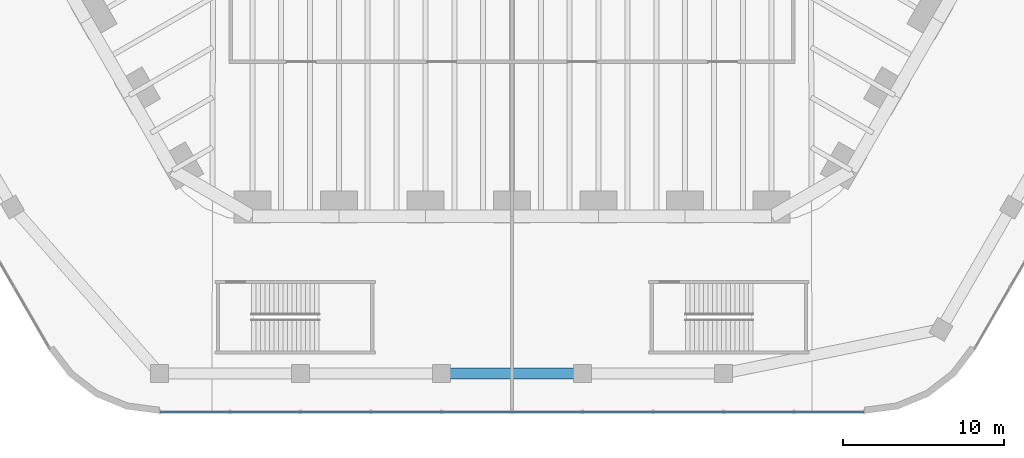
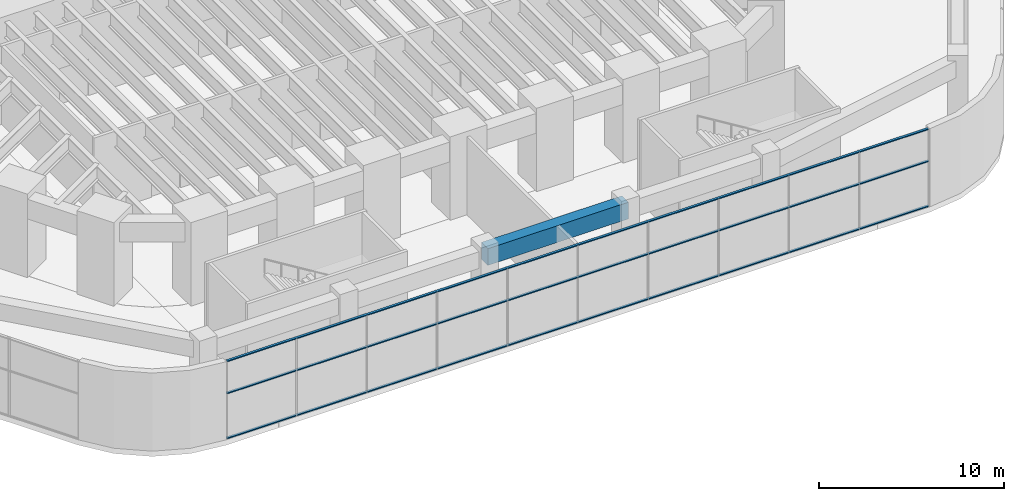
# One storey, part 6 of 31: 3 members, 1 beam, 1 element without a shape of its own.
"""IFC4 building model written with IfcOpenShell, lengths in metres."""

from ifc_helpers import new_model, si_unit, direction, frame, origin, origin_2d, place, context, subcontext, project, spatial, rectangle, extrude, material, material_profile, profile_set, type_object, element, aggregate, save


model = new_model("IFC4")

# Units and contexts
model_context = context("Model", 3, precision=1e-05, world=origin(), true_north=direction((0.0, 1.0)))
body_context = subcontext(model_context, "Body", "Model", "MODEL_VIEW")
ifc_project = project(units=[si_unit("LENGTHUNIT", "METRE"), si_unit("AREAUNIT", "SQUARE_METRE"), si_unit("VOLUMEUNIT", "CUBIC_METRE"), si_unit("PLANEANGLEUNIT", "RADIAN"), si_unit("MASSUNIT", "GRAM", prefix="KILO")], contexts=[model_context])

# Site, building, storey
site_placement = place(None, origin())
site = spatial("IfcSite", under=ifc_project, at=site_placement, CompositionType="ELEMENT")
building_placement = place(site_placement, origin())
building = spatial("IfcBuilding", under=site, at=building_placement, Name="Tarfa Lantern Tower", CompositionType="ELEMENT")
storey_placement = place(building_placement, frame((0.0, 0.0, 13.0)))
storey = spatial("IfcBuildingStorey", under=building, at=storey_placement, Name="L02", CompositionType="ELEMENT", Elevation=13.0)

# Curtain wall, members
ifc_material_1 = material(Name="Aluminium framed curtain wall", Category="aluminium")
curtain_wall_type = type_object("IfcCurtainWallType", Name="CW7 PODIUM GLAZING 5150", PredefinedType="USERDEFINED", material=ifc_material_1)
curtain_wall_placement = place(storey_placement, origin())
curtain_wall = element("IfcCurtainWall", 1, at=curtain_wall_placement, inside=storey, type_object=curtain_wall_type, Name="CW7 S L02", ObjectType="CURTAIN WALL", PredefinedType="USERDEFINED")
ifc_material_2 = material(Name="Aluminium transom", Category="aluminium")
ifc_material_profile_1 = material_profile(ifc_material_2, rectangle(XDim=0.14990234375, YDim=0.06494140625, at=origin_2d()), Name="AL TRANSOM 150x65")
ifc_profile_set_1 = profile_set([ifc_material_profile_1], Name="Aluminium transom")
member_type = type_object("IfcMemberType", Name="CWT1 TRANSOM 150x65", PredefinedType="USERDEFINED", material=ifc_profile_set_1)
member_1_placement = place(storey_placement, frame((-21.874267578125, -45.89990234375, 0.032470703125), z_axis=(1.0, 0.0, 0.0), x_axis=(0.0, 1.0, 0.0)))
member_1 = element("IfcMember", 2, at=member_1_placement, type_object=member_type, Name="CW7 transom 1.1", ObjectType="TRANSOM", PredefinedType="USERDEFINED", context=body_context, shape_type="SweptSolid", body=[
    extrude(rectangle(XDim=0.14990234375, YDim=0.06494140625, at=origin_2d()), origin(), (0.0, 0.0, 1.0), 43.74853515625),
])
member_2_placement = place(storey_placement, frame((-21.874267578125, -45.89990234375, 3.0), z_axis=(1.0, 0.0, 0.0), x_axis=(0.0, 1.0, 0.0)))
member_2 = element("IfcMember", 3, at=member_2_placement, type_object=member_type, Name="CW7 transom 1.2", ObjectType="TRANSOM", PredefinedType="USERDEFINED", context=body_context, shape_type="SweptSolid", body=[
    extrude(rectangle(XDim=0.14990234375, YDim=0.06494140625, at=origin_2d()), origin(), (0.0, 0.0, 1.0), 43.74853515625),
])
member_3_placement = place(storey_placement, frame((-21.874267578125, -45.89990234375, 5.117431640625), z_axis=(1.0, 0.0, 0.0), x_axis=(0.0, 1.0, 0.0)))
member_3 = element("IfcMember", 4, at=member_3_placement, type_object=member_type, Name="CW7 transom 1.3", ObjectType="TRANSOM", PredefinedType="USERDEFINED", context=body_context, shape_type="SweptSolid", body=[
    extrude(rectangle(XDim=0.14990234375, YDim=0.06494140625, at=origin_2d()), origin(), (0.0, 0.0, 1.0), 43.74853515625),
])
aggregate(curtain_wall, [member_1, member_2, member_3])

# Beam
ifc_material_3 = material(Name="Concrete C80/95", Category="concrete")
ifc_material_profile_2 = material_profile(ifc_material_3, rectangle(XDim=0.699951171875, YDim=1.10009765625, at=origin_2d()), Name="RC 700x1100")
ifc_profile_set_2 = profile_set([ifc_material_profile_2], Name="Concrete C80/95")
beam_type = type_object("IfcBeamType", Name="PB1 RC 700x1100", PredefinedType="BEAM", material=ifc_profile_set_2)
beam_placement = place(storey_placement, frame((-4.387939453125, -43.5, 4.60009765625), z_axis=(1.0, 0.0, 0.0), x_axis=(0.0, 1.0, 0.0)))
element("IfcBeam", 5, at=beam_placement, inside=storey, type_object=beam_type, Name="Podium ring beam S2", PredefinedType="BEAM", context=body_context, shape_type="SweptSolid", body=[
    extrude(rectangle(XDim=0.699951171875, YDim=1.10009765625, at=origin_2d()), origin(), (0.0, 0.0, 1.0), 8.77587890625),
])

save(model, "model.ifc")
